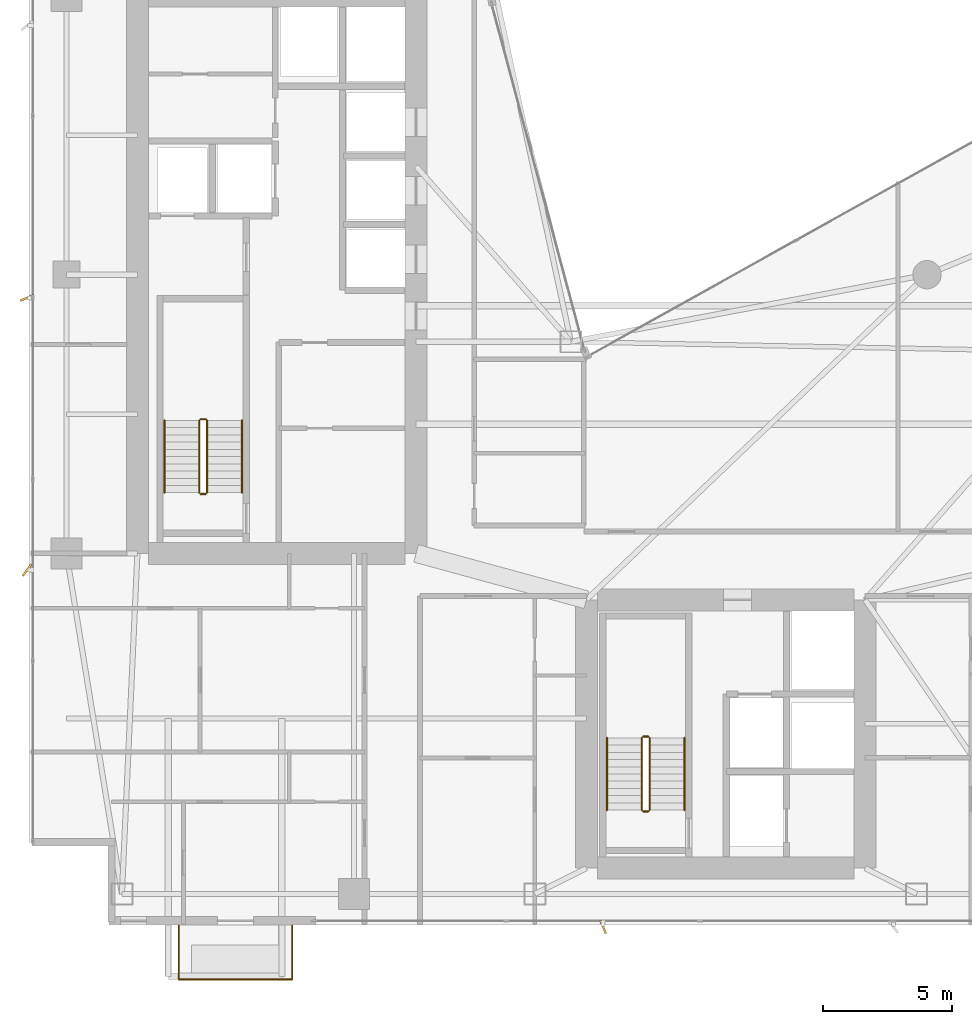
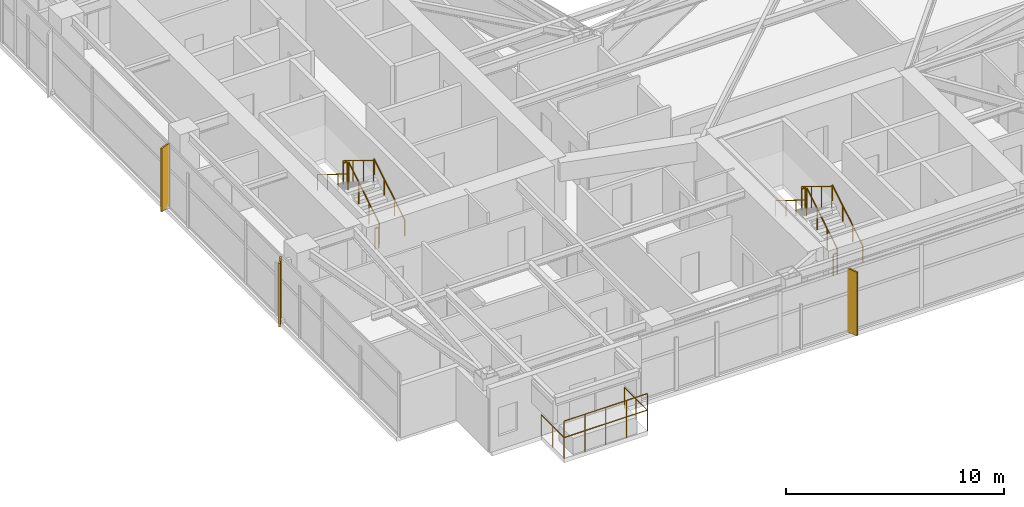
# One storey, part 27 of 28: 14 railings, 3 shading devices.
"""IFC4 building model written with IfcOpenShell, lengths in metres."""

from ifc_helpers import new_model, si_unit, direction, frame, origin, origin_2d, place, context, subcontext, project, spatial, rectangle, circle, extrude, material, type_object, element, save


model = new_model("IFC4")

# Units and contexts
model_context = context("Model", 3, precision=1e-05, world=origin(), true_north=direction((0.0, 1.0)))
body_context = subcontext(model_context, "Body", "Model", "MODEL_VIEW")
ifc_project = project(units=[si_unit("LENGTHUNIT", "METRE"), si_unit("AREAUNIT", "SQUARE_METRE"), si_unit("VOLUMEUNIT", "CUBIC_METRE"), si_unit("PLANEANGLEUNIT", "RADIAN"), si_unit("MASSUNIT", "GRAM", prefix="KILO")], contexts=[model_context])

# Site, building, storey
site_placement = place(None, origin())
site = spatial("IfcSite", under=ifc_project, at=site_placement, CompositionType="ELEMENT")
building_placement = place(site_placement, origin())
building = spatial("IfcBuilding", under=site, at=building_placement, Name="Calvorn Quay Hotel", CompositionType="ELEMENT")
storey_placement = place(building_placement, frame((0.0, 0.0, 156.10009765625)))
storey = spatial("IfcBuildingStorey", under=building, at=storey_placement, Name="L38", CompositionType="ELEMENT", Elevation=156.10009765625)

# Railings
ifc_material_1 = material(Name="Pale Anodised Aluminium and Laminated Glass", Category="aluminium")
railing_type_1 = type_object("IfcRailingType", Name="RLG-BALUSTRADE-1200", PredefinedType="BALUSTRADE", material=ifc_material_1)
railing_1_placement = place(storey_placement, frame((5.800048828125, 2.389892578125, 0.0)))
element("IfcRailing", 1, at=railing_1_placement, inside=storey, type_object=railing_type_1, Name="Tree Balcony Perimeter Balustrade L38-BALC-S", PredefinedType="BALUSTRADE", context=body_context, shape_type="SweptSolid", body=[
    extrude(circle(Radius=0.02392578125, at=origin_2d()), frame((0.0, 0.0, 1.17578125), z_axis=(0.0, -1.0, 0.0), x_axis=(1.0, 0.0, 0.0)), (0.0, 0.0, 1.0), 2.099853515625),
    extrude(circle(Radius=0.02392578125, at=origin_2d()), frame((0.0, -2.099853515625, 1.17578125), z_axis=(1.0, 0.0, 0.0), x_axis=(0.0, 1.0, 0.0)), (0.0, 0.0, 1.0), 4.39990234375),
    extrude(circle(Radius=0.02392578125, at=origin_2d()), frame((4.39990234375, -2.099853515625, 1.17578125), z_axis=(0.0, 1.0, 0.0), x_axis=(-1.0, 0.0, 0.0)), (0.0, 0.0, 1.0), 2.099853515625),
    extrude(circle(Radius=0.02099609375, at=origin_2d()), origin(), (0.0, 0.0, 1.0), 1.15185546875),
    extrude(circle(Radius=0.02099609375, at=origin_2d()), frame((0.0, -1.0498046875, 0.0)), (0.0, 0.0, 1.0), 1.15185546875),
    extrude(circle(Radius=0.02099609375, at=origin_2d()), frame((0.0, -2.099853515625, 0.0)), (0.0, 0.0, 1.0), 1.15185546875),
    extrude(circle(Radius=0.02099609375, at=origin_2d()), frame((1.10009765625, -2.099853515625, 0.0)), (0.0, 0.0, 1.0), 1.15185546875),
    extrude(circle(Radius=0.02099609375, at=origin_2d()), frame((2.199951171875, -2.099853515625, 0.0)), (0.0, 0.0, 1.0), 1.15185546875),
    extrude(circle(Radius=0.02099609375, at=origin_2d()), frame((3.2998046875, -2.099853515625, 0.0)), (0.0, 0.0, 1.0), 1.15185546875),
    extrude(circle(Radius=0.02099609375, at=origin_2d()), frame((4.39990234375, -2.099853515625, 0.0)), (0.0, 0.0, 1.0), 1.15185546875),
    extrude(circle(Radius=0.02099609375, at=origin_2d()), frame((4.39990234375, -1.0498046875, 0.0)), (0.0, 0.0, 1.0), 1.15185546875),
    extrude(circle(Radius=0.02099609375, at=origin_2d()), frame((4.39990234375, 0.0, 0.0)), (0.0, 0.0, 1.0), 1.15185546875),
])
railing_2_placement = place(storey_placement, frame((5.800048828125, 0.2900390625, 0.89990234375)))
element("IfcRailing", 2, at=railing_2_placement, inside=storey, type_object=railing_type_1, Name="Planter Kerb High Safety Screen L38-BALC-S", PredefinedType="BALUSTRADE", context=body_context, shape_type="SweptSolid", body=[
    extrude(circle(Radius=0.02392578125, at=origin_2d()), frame((0.0, 0.0, 1.19580078125), z_axis=(1.0, 0.0, 0.0), x_axis=(0.0, 1.0, 0.0)), (0.0, 0.0, 1.0), 4.39990234375),
    extrude(circle(Radius=0.02099609375, at=origin_2d()), origin(), (0.0, 0.0, 1.0), 1.171875),
    extrude(circle(Radius=0.02099609375, at=origin_2d()), frame((1.10009765625, 0.0, 0.0)), (0.0, 0.0, 1.0), 1.171875),
    extrude(circle(Radius=0.02099609375, at=origin_2d()), frame((2.199951171875, 0.0, 0.0)), (0.0, 0.0, 1.0), 1.171875),
    extrude(circle(Radius=0.02099609375, at=origin_2d()), frame((3.2998046875, 0.0, 0.0)), (0.0, 0.0, 1.0), 1.171875),
    extrude(circle(Radius=0.02099609375, at=origin_2d()), frame((4.39990234375, 0.0, 0.0)), (0.0, 0.0, 1.0), 1.171875),
])
ifc_material_2 = material(Name="Brushed Stainless Steel Handrail", Category="steel")
railing_type_2 = type_object("IfcRailingType", Name="RLG-HANDRAIL-900", PredefinedType="HANDRAIL", material=ifc_material_2)
railing_3_placement = place(storey_placement, frame((8.25, 19.14990234375, 0.172607421875)))
element("IfcRailing", 3, at=railing_3_placement, inside=storey, type_object=railing_type_2, Name="L38 ST-W stair handrail 1", PredefinedType="HANDRAIL", context=body_context, shape_type="SweptSolid", body=[
    extrude(circle(Radius=0.02392578125, at=origin_2d()), frame((0.0, 0.0, 0.8759765625), z_axis=(0.0, 0.851089632645, 0.525020415988), x_axis=(-1.0, 0.0, 0.0)), (0.0, 0.0, 1.0), 3.2900390625),
    extrude(circle(Radius=0.02099609375, at=origin_2d()), origin(), (0.0, 0.0, 1.0), 0.851806640625),
    extrude(circle(Radius=0.02099609375, at=origin_2d()), frame((0.0, 0.933349609375, 0.57568359375)), (0.0, 0.0, 1.0), 0.851806640625),
    extrude(circle(Radius=0.02099609375, at=origin_2d()), frame((0.0, 1.86669921875, 1.151611328125)), (0.0, 0.0, 1.0), 0.851806640625),
    extrude(circle(Radius=0.02099609375, at=origin_2d()), frame((0.0, 2.800048828125, 1.727294921875)), (0.0, 0.0, 1.0), 0.851806640625),
])
railing_4_placement = place(storey_placement, frame((5.25, 21.949951171875, 2.072509765625)))
element("IfcRailing", 4, at=railing_4_placement, inside=storey, type_object=railing_type_2, Name="L38 ST-W stair handrail 2", PredefinedType="HANDRAIL", context=body_context, shape_type="SweptSolid", body=[
    extrude(circle(Radius=0.02392578125, at=origin_2d()), frame((0.0, 0.0, 0.8759765625), z_axis=(0.0, -0.851089632645, 0.525020415988), x_axis=(1.0, 0.0, 0.0)), (0.0, 0.0, 1.0), 3.2900390625),
    extrude(circle(Radius=0.02099609375, at=origin_2d()), origin(), (0.0, 0.0, 1.0), 0.851806640625),
    extrude(circle(Radius=0.02099609375, at=origin_2d()), frame((0.0, -0.933349609375, 0.57568359375)), (0.0, 0.0, 1.0), 0.851806640625),
    extrude(circle(Radius=0.02099609375, at=origin_2d()), frame((0.0, -1.86669921875, 1.151611328125)), (0.0, 0.0, 1.0), 0.851806640625),
    extrude(circle(Radius=0.02099609375, at=origin_2d()), frame((0.0, -2.800048828125, 1.727294921875)), (0.0, 0.0, 1.0), 0.851806640625),
])
railing_5_placement = place(storey_placement, frame((25.39990234375, 6.85009765625, 0.172607421875)))
element("IfcRailing", 5, at=railing_5_placement, inside=storey, type_object=railing_type_2, Name="L38 ST-E stair handrail 1", PredefinedType="HANDRAIL", context=body_context, shape_type="SweptSolid", body=[
    extrude(circle(Radius=0.02392578125, at=origin_2d()), frame((0.0, 0.0, 0.8759765625), z_axis=(0.0, 0.851069175582, 0.525053576669), x_axis=(-1.0, 0.0, 0.0)), (0.0, 0.0, 1.0), 3.289794921875),
    extrude(circle(Radius=0.02099609375, at=origin_2d()), origin(), (0.0, 0.0, 1.0), 0.851806640625),
    extrude(circle(Radius=0.02099609375, at=origin_2d()), frame((0.0, 0.933349609375, 0.57568359375)), (0.0, 0.0, 1.0), 0.851806640625),
    extrude(circle(Radius=0.02099609375, at=origin_2d()), frame((0.0, 1.866455078125, 1.151611328125)), (0.0, 0.0, 1.0), 0.851806640625),
    extrude(circle(Radius=0.02099609375, at=origin_2d()), frame((0.0, 2.7998046875, 1.727294921875)), (0.0, 0.0, 1.0), 0.851806640625),
])
railing_6_placement = place(storey_placement, frame((22.39990234375, 9.64990234375, 2.072509765625)))
element("IfcRailing", 6, at=railing_6_placement, inside=storey, type_object=railing_type_2, Name="L38 ST-E stair handrail 2", PredefinedType="HANDRAIL", context=body_context, shape_type="SweptSolid", body=[
    extrude(circle(Radius=0.02392578125, at=origin_2d()), frame((0.0, 0.0, 0.8759765625), z_axis=(0.0, -0.851069175582, 0.525053576669), x_axis=(1.0, 0.0, 0.0)), (0.0, 0.0, 1.0), 3.289794921875),
    extrude(circle(Radius=0.02099609375, at=origin_2d()), origin(), (0.0, 0.0, 1.0), 0.851806640625),
    extrude(circle(Radius=0.02099609375, at=origin_2d()), frame((0.0, -0.933349609375, 0.57568359375)), (0.0, 0.0, 1.0), 0.851806640625),
    extrude(circle(Radius=0.02099609375, at=origin_2d()), frame((0.0, -1.866455078125, 1.151611328125)), (0.0, 0.0, 1.0), 0.851806640625),
    extrude(circle(Radius=0.02099609375, at=origin_2d()), frame((0.0, -2.7998046875, 1.727294921875)), (0.0, 0.0, 1.0), 0.851806640625),
])
ifc_material_3 = material(Name="Painted Galvanised Steel Balustrade", Category="steel")
railing_type_3 = type_object("IfcRailingType", Name="RLG-STAIR-GUARD-1120", PredefinedType="GUARDRAIL", material=ifc_material_3)
railing_7_placement = place(storey_placement, frame((6.89990234375, 19.14990234375, 0.172607421875)))
element("IfcRailing", 7, at=railing_7_placement, inside=storey, type_object=railing_type_3, Name="L38 ST-W stair guard 1", PredefinedType="GUARDRAIL", context=body_context, shape_type="SweptSolid", body=[
    extrude(circle(Radius=0.02392578125, at=origin_2d()), frame((0.0, 0.0, 1.17578125), z_axis=(0.0, 0.851089632645, 0.525020415988), x_axis=(-1.0, 0.0, 0.0)), (0.0, 0.0, 1.0), 3.2900390625),
    extrude(circle(Radius=0.02099609375, at=origin_2d()), origin(), (0.0, 0.0, 1.0), 1.15185546875),
    extrude(circle(Radius=0.02099609375, at=origin_2d()), frame((0.0, 0.933349609375, 0.57568359375)), (0.0, 0.0, 1.0), 1.15185546875),
    extrude(circle(Radius=0.02099609375, at=origin_2d()), frame((0.0, 1.86669921875, 1.151611328125)), (0.0, 0.0, 1.0), 1.15185546875),
    extrude(circle(Radius=0.02099609375, at=origin_2d()), frame((0.0, 2.800048828125, 1.727294921875)), (0.0, 0.0, 1.0), 1.15185546875),
])
railing_8_placement = place(storey_placement, frame((6.85009765625, 22.0, 1.89990234375)))
element("IfcRailing", 8, at=railing_8_placement, inside=storey, type_object=railing_type_3, Name="L38 ST-W stair guard 2", PredefinedType="GUARDRAIL", context=body_context, shape_type="SweptSolid", body=[
    extrude(circle(Radius=0.02392578125, at=origin_2d()), frame((0.0, 0.0, 1.17578125), z_axis=(-1.0, 0.0, 0.0), x_axis=(0.0, -1.0, 0.0)), (0.0, 0.0, 1.0), 0.2001953125),
    extrude(circle(Radius=0.02099609375, at=origin_2d()), origin(), (0.0, 0.0, 1.0), 1.15185546875),
    extrude(circle(Radius=0.02099609375, at=origin_2d()), frame((-0.2001953125, 0.0, 0.0)), (0.0, 0.0, 1.0), 1.15185546875),
])
railing_9_placement = place(storey_placement, frame((6.60009765625, 21.949951171875, 2.072509765625)))
element("IfcRailing", 9, at=railing_9_placement, inside=storey, type_object=railing_type_3, Name="L38 ST-W stair guard 3", PredefinedType="GUARDRAIL", context=body_context, shape_type="SweptSolid", body=[
    extrude(circle(Radius=0.02392578125, at=origin_2d()), frame((0.0, 0.0, 1.17578125), z_axis=(0.0, -0.851089632645, 0.525020415988), x_axis=(1.0, 0.0, 0.0)), (0.0, 0.0, 1.0), 3.2900390625),
    extrude(circle(Radius=0.02099609375, at=origin_2d()), origin(), (0.0, 0.0, 1.0), 1.15185546875),
    extrude(circle(Radius=0.02099609375, at=origin_2d()), frame((0.0, -0.933349609375, 0.57568359375)), (0.0, 0.0, 1.0), 1.15185546875),
    extrude(circle(Radius=0.02099609375, at=origin_2d()), frame((0.0, -1.86669921875, 1.151611328125)), (0.0, 0.0, 1.0), 1.15185546875),
    extrude(circle(Radius=0.02099609375, at=origin_2d()), frame((0.0, -2.800048828125, 1.727294921875)), (0.0, 0.0, 1.0), 1.15185546875),
])
railing_10_placement = place(storey_placement, frame((6.85009765625, 19.10009765625, 0.0)))
element("IfcRailing", 10, at=railing_10_placement, inside=storey, type_object=railing_type_3, Name="L38 ST-W stair guard 4", PredefinedType="GUARDRAIL", context=body_context, shape_type="SweptSolid", body=[
    extrude(circle(Radius=0.02392578125, at=origin_2d()), frame((0.0, 0.0, 1.17578125), z_axis=(-1.0, 0.0, 0.0), x_axis=(0.0, -1.0, 0.0)), (0.0, 0.0, 1.0), 0.2001953125),
    extrude(circle(Radius=0.02099609375, at=origin_2d()), origin(), (0.0, 0.0, 1.0), 1.15185546875),
    extrude(circle(Radius=0.02099609375, at=origin_2d()), frame((-0.2001953125, 0.0, 0.0)), (0.0, 0.0, 1.0), 1.15185546875),
])
railing_11_placement = place(storey_placement, frame((24.050048828125, 6.85009765625, 0.172607421875)))
element("IfcRailing", 11, at=railing_11_placement, inside=storey, type_object=railing_type_3, Name="L38 ST-E stair guard 1", PredefinedType="GUARDRAIL", context=body_context, shape_type="SweptSolid", body=[
    extrude(circle(Radius=0.02392578125, at=origin_2d()), frame((0.0, 0.0, 1.17578125), z_axis=(0.0, 0.851069175582, 0.525053576669), x_axis=(-1.0, 0.0, 0.0)), (0.0, 0.0, 1.0), 3.289794921875),
    extrude(circle(Radius=0.02099609375, at=origin_2d()), origin(), (0.0, 0.0, 1.0), 1.15185546875),
    extrude(circle(Radius=0.02099609375, at=origin_2d()), frame((0.0, 0.933349609375, 0.57568359375)), (0.0, 0.0, 1.0), 1.15185546875),
    extrude(circle(Radius=0.02099609375, at=origin_2d()), frame((0.0, 1.866455078125, 1.151611328125)), (0.0, 0.0, 1.0), 1.15185546875),
    extrude(circle(Radius=0.02099609375, at=origin_2d()), frame((0.0, 2.7998046875, 1.727294921875)), (0.0, 0.0, 1.0), 1.15185546875),
])
railing_12_placement = place(storey_placement, frame((24.0, 9.699951171875, 1.89990234375)))
element("IfcRailing", 12, at=railing_12_placement, inside=storey, type_object=railing_type_3, Name="L38 ST-E stair guard 2", PredefinedType="GUARDRAIL", context=body_context, shape_type="SweptSolid", body=[
    extrude(circle(Radius=0.02392578125, at=origin_2d()), frame((0.0, 0.0, 1.17578125), z_axis=(-1.0, 0.0, 0.0), x_axis=(0.0, -1.0, 0.0)), (0.0, 0.0, 1.0), 0.199951171875),
    extrude(circle(Radius=0.02099609375, at=origin_2d()), origin(), (0.0, 0.0, 1.0), 1.15185546875),
    extrude(circle(Radius=0.02099609375, at=origin_2d()), frame((-0.199951171875, 0.0, 0.0)), (0.0, 0.0, 1.0), 1.15185546875),
])
railing_13_placement = place(storey_placement, frame((23.75, 9.64990234375, 2.072509765625)))
element("IfcRailing", 13, at=railing_13_placement, inside=storey, type_object=railing_type_3, Name="L38 ST-E stair guard 3", PredefinedType="GUARDRAIL", context=body_context, shape_type="SweptSolid", body=[
    extrude(circle(Radius=0.02392578125, at=origin_2d()), frame((0.0, 0.0, 1.17578125), z_axis=(0.0, -0.851069175582, 0.525053576669), x_axis=(1.0, 0.0, 0.0)), (0.0, 0.0, 1.0), 3.289794921875),
    extrude(circle(Radius=0.02099609375, at=origin_2d()), origin(), (0.0, 0.0, 1.0), 1.15185546875),
    extrude(circle(Radius=0.02099609375, at=origin_2d()), frame((0.0, -0.933349609375, 0.57568359375)), (0.0, 0.0, 1.0), 1.15185546875),
    extrude(circle(Radius=0.02099609375, at=origin_2d()), frame((0.0, -1.866455078125, 1.151611328125)), (0.0, 0.0, 1.0), 1.15185546875),
    extrude(circle(Radius=0.02099609375, at=origin_2d()), frame((0.0, -2.7998046875, 1.727294921875)), (0.0, 0.0, 1.0), 1.15185546875),
])
railing_14_placement = place(storey_placement, frame((24.0, 6.800048828125, 0.0)))
element("IfcRailing", 14, at=railing_14_placement, inside=storey, type_object=railing_type_3, Name="L38 ST-E stair guard 4", PredefinedType="GUARDRAIL", context=body_context, shape_type="SweptSolid", body=[
    extrude(circle(Radius=0.02392578125, at=origin_2d()), frame((0.0, 0.0, 1.17578125), z_axis=(-1.0, 0.0, 0.0), x_axis=(0.0, -1.0, 0.0)), (0.0, 0.0, 1.0), 0.199951171875),
    extrude(circle(Radius=0.02099609375, at=origin_2d()), origin(), (0.0, 0.0, 1.0), 1.15185546875),
    extrude(circle(Radius=0.02099609375, at=origin_2d()), frame((-0.199951171875, 0.0, 0.0)), (0.0, 0.0, 1.0), 1.15185546875),
])

# Shading devices
ifc_material_4 = material(Name="Champagne Bronze Anodised Aluminium 6063-T6", Category="aluminium")
shading_device_type_1 = type_object("IfcShadingDeviceType", Name="SHD-FIN-A1", PredefinedType="USERDEFINED", material=ifc_material_4)
for number, where, z_axis, x_axis, name in (
    (15, (-0.080078125, 26.699951171875, -0.000244140625), (0.0, 0.0, 1.0), (0.927183854567, 0.374606593416, 0.0), "Diagonal Sun-Shading Fin L38-W02"),
    (16, (22.25, 2.320068359375, -0.000244140625), (0.0, 0.0, 1.0), (-0.374606593416, 0.927183854567, 0.0), "Diagonal Sun-Shading Fin L38-S01"),
):
    element("IfcShadingDevice", number, at=place(storey_placement, frame(where, z_axis=z_axis, x_axis=x_axis)), inside=storey, type_object=shading_device_type_1, Name=name, ObjectType="FIN", PredefinedType="USERDEFINED", context=body_context, shape_type="SweptSolid", body=[
        extrude(rectangle(XDim=0.550048828125, YDim=0.080078125, at=origin_2d()), origin(), (0.0, 0.0, 1.0), 3.56005859375),
    ])
ifc_material_5 = material(Name="Champagne Bronze Anodised Aluminium 6063-T6", Category="aluminium")
shading_device_type_2 = type_object("IfcShadingDeviceType", Name="SHD-FIN-A3", PredefinedType="USERDEFINED", material=ifc_material_5)
shading_device_placement = place(storey_placement, frame((-0.080078125, 16.14990234375, -0.000244140625), z_axis=(0.0, 0.0, 1.0), x_axis=(0.587785252292, 0.809016994375, 0.0)))
element("IfcShadingDevice", 17, at=shading_device_placement, inside=storey, type_object=shading_device_type_2, Name="Diagonal Sun-Shading Fin L38-W01", ObjectType="FIN", PredefinedType="USERDEFINED", context=body_context, shape_type="SweptSolid", body=[
    extrude(rectangle(XDim=0.550048828125, YDim=0.080078125, at=origin_2d()), origin(), (0.0, 0.0, 1.0), 3.56005859375),
])

save(model, "model.ifc")
